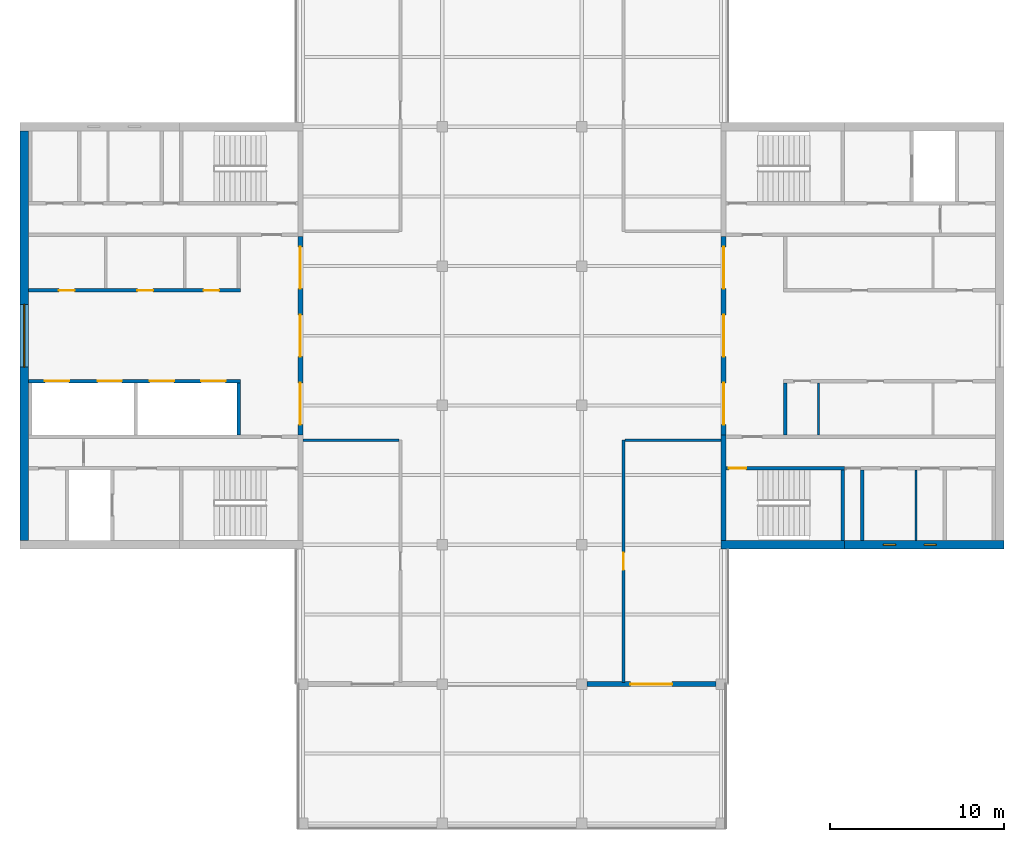
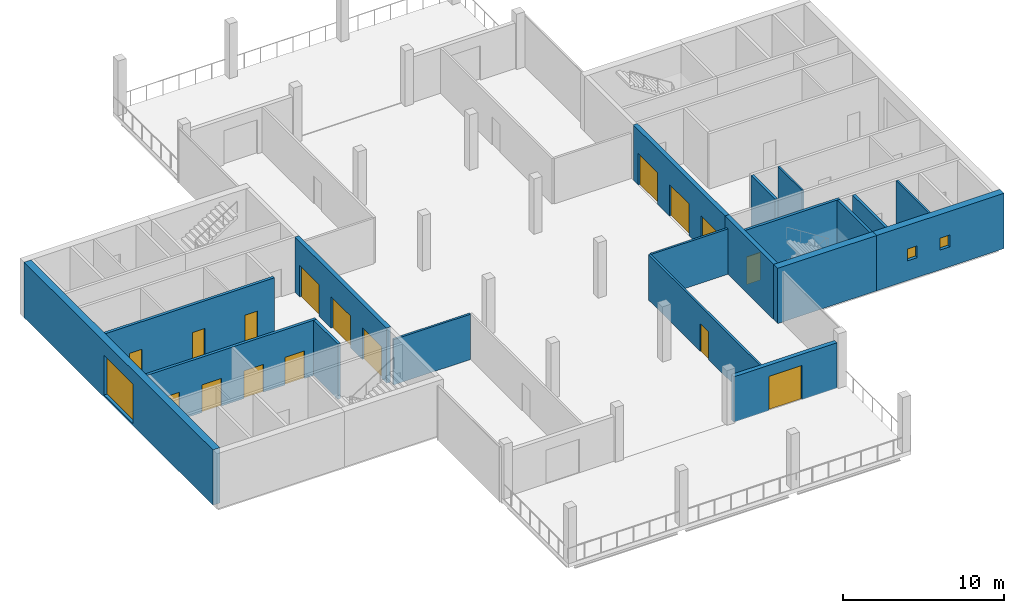
# One storey, part 8 of 12: 19 walls, 16 doors, 3 windows, 19 openings.
"""IFC4 building model written with IfcOpenShell, lengths in metres."""

from ifc_helpers import new_model, si_unit, direction, frame, frame_2d, origin, place, context, subcontext, project, spatial, rectangle, extrude, material, layer, layer_set, constituent, constituent_set, type_object, element, fill, save


model = new_model("IFC4")

# Units and contexts
model_context = context("Model", 3, precision=1e-05, world=origin(), true_north=direction((0.0, 1.0)))
body_context = subcontext(model_context, "Body", "Model", "MODEL_VIEW")
ifc_project = project(units=[si_unit("LENGTHUNIT", "METRE"), si_unit("AREAUNIT", "SQUARE_METRE"), si_unit("VOLUMEUNIT", "CUBIC_METRE"), si_unit("PLANEANGLEUNIT", "RADIAN"), si_unit("MASSUNIT", "GRAM", prefix="KILO")], contexts=[model_context])

# Site, building, storey
site_placement = place(None, origin())
site = spatial("IfcSite", under=ifc_project, at=site_placement, CompositionType="ELEMENT")
building_placement = place(site_placement, origin())
building = spatial("IfcBuilding", under=site, at=building_placement, Name="Crosswind Convention Tower", CompositionType="ELEMENT")
storey_placement = place(building_placement, frame((0.0, 0.0, 328.10009765625)))
storey = spatial("IfcBuildingStorey", under=building, at=storey_placement, Name="L71", CompositionType="ELEMENT", Elevation=328.10009765625)

# Wall
ifc_material_1 = material(Name="Concrete blockwork", Category="masonry")
ifc_layer_1 = layer(ifc_material_1, 0.199951171875)
ifc_layer_set_1 = layer_set([ifc_layer_1], Name="Blockwork partition wall 200")
wall_type_1 = type_object("IfcWallType", Name="Blockwork partition wall 200", PredefinedType="PARTITIONING", material=ifc_layer_set_1)
wall_1_placement = place(storey_placement, frame((145.10009765625, 88.25, 0.0), z_axis=(0.0, 0.0, 1.0), x_axis=(0.0, 1.0, 0.0)))
element("IfcWall", 1, at=wall_1_placement, inside=storey, type_object=wall_type_1, Name="Wall MRSE E L71", PredefinedType="PARTITIONING", context=body_context, shape_type="SweptSolid", body=[
    extrude(rectangle(XDim=4.050048828125, YDim=0.199951171875, at=frame_2d((2.02490234375, 0.0))), origin(), (0.0, 0.0, 1.0), 4.199951171875),
])

# Wall, openings, doors
ifc_material_2 = material(Name="Concrete C50/60", Category="concrete")
ifc_layer_2 = layer(ifc_material_2, 0.300048828125)
ifc_layer_set_2 = layer_set([ifc_layer_2], Name="Concrete C50/60")
wall_type_2 = type_object("IfcWallType", Name="Concrete inner core wall 300", PredefinedType="SHEAR", material=ifc_layer_set_2)
wall_2_placement = place(storey_placement, frame((137.14990234375, 94.300048828125, 0.0), z_axis=(0.0, 0.0, 1.0), x_axis=(0.0, 1.0, 0.0)))
wall_2 = element("IfcWall", 2, at=wall_2_placement, inside=storey, type_object=wall_type_2, Name="Wall SCR E L71", PredefinedType="SHEAR", context=body_context, shape_type="SweptSolid", body=[
    extrude(rectangle(XDim=11.39990234375, YDim=0.300048828125, at=frame_2d((5.699951171875, 0.0))), origin(), (0.0, 0.0, 1.0), 4.199951171875),
])
opening_1_placement = place(wall_2_placement, frame((0.60009765625, 0.0, 0.0)))
opening_1 = element("IfcOpeningElement", 3, at=opening_1_placement, cuts=wall_2, Name="Opening D100", PredefinedType="OPENING", context=body_context, shape_type="SweptSolid", body=[
    extrude(rectangle(XDim=2.39990234375, YDim=2.39990234375, at=frame_2d((1.199951171875, 1.199951171875))), frame((0.0, 0.159912109375, 0.0), z_axis=(0.0, -1.0, 0.0), x_axis=(1.0, 0.0, 0.0)), (0.0, 0.0, 1.0), 0.320068359375),
])
opening_2_placement = place(wall_2_placement, frame((4.5, 0.0, 0.0)))
opening_2 = element("IfcOpeningElement", 4, at=opening_2_placement, cuts=wall_2, Name="Opening D100", PredefinedType="OPENING", context=body_context, shape_type="SweptSolid", body=[
    extrude(rectangle(XDim=2.39990234375, YDim=2.39990234375, at=frame_2d((1.199951171875, 1.199951171875))), frame((0.0, 0.159912109375, 0.0), z_axis=(0.0, -1.0, 0.0), x_axis=(1.0, 0.0, 0.0)), (0.0, 0.0, 1.0), 0.320068359375),
])
opening_3_placement = place(wall_2_placement, frame((8.39990234375, 0.0, 0.0)))
opening_3 = element("IfcOpeningElement", 5, at=opening_3_placement, cuts=wall_2, Name="Opening D100", PredefinedType="OPENING", context=body_context, shape_type="SweptSolid", body=[
    extrude(rectangle(XDim=2.39990234375, YDim=2.39990234375, at=frame_2d((1.199951171875, 1.199951171875))), frame((0.0, 0.159912109375, 0.0), z_axis=(0.0, -1.0, 0.0), x_axis=(1.0, 0.0, 0.0)), (0.0, 0.0, 1.0), 0.320068359375),
])
ifc_material_3 = material(Name="Steel fire door with glazed vision panels", Category="steel")
door_type_1 = type_object("IfcDoorType", Name="Fire-rated double door 2400x2400", OperationType="DOUBLE_DOOR_SINGLE_SWING", PredefinedType="DOOR", material=ifc_material_3)
door_1_placement = place(opening_1_placement, origin())
door_1 = element("IfcDoor", 6, at=door_1_placement, inside=storey, type_object=door_type_1, Name="Lobby door 1 L71", ObjectType="D100", OperationType="DOUBLE_DOOR_SINGLE_SWING", OverallHeight=2.39990234375, OverallWidth=2.39990234375, PredefinedType="DOOR", context=body_context, shape_type="SweptSolid", body=[
    extrude(rectangle(XDim=2.39990234375, YDim=2.39990234375, at=frame_2d((1.199951171875, 1.199951171875))), frame((0.0, 0.02490234375, 0.0), z_axis=(0.0, -1.0, 0.0), x_axis=(1.0, 0.0, 0.0)), (0.0, 0.0, 1.0), 0.050048828125),
])
fill(opening_1, door_1)
door_2_placement = place(opening_2_placement, origin())
door_2 = element("IfcDoor", 7, at=door_2_placement, inside=storey, type_object=door_type_1, Name="Lobby door 2 L71", ObjectType="D100", OperationType="DOUBLE_DOOR_SINGLE_SWING", OverallHeight=2.39990234375, OverallWidth=2.39990234375, PredefinedType="DOOR", context=body_context, shape_type="SweptSolid", body=[
    extrude(rectangle(XDim=2.39990234375, YDim=2.39990234375, at=frame_2d((1.199951171875, 1.199951171875))), frame((0.0, 0.02490234375, 0.0), z_axis=(0.0, -1.0, 0.0), x_axis=(1.0, 0.0, 0.0)), (0.0, 0.0, 1.0), 0.050048828125),
])
fill(opening_2, door_2)
door_3_placement = place(opening_3_placement, origin())
door_3 = element("IfcDoor", 8, at=door_3_placement, inside=storey, type_object=door_type_1, Name="Lobby door 3 L71", ObjectType="D100", OperationType="DOUBLE_DOOR_SINGLE_SWING", OverallHeight=2.39990234375, OverallWidth=2.39990234375, PredefinedType="DOOR", context=body_context, shape_type="SweptSolid", body=[
    extrude(rectangle(XDim=2.39990234375, YDim=2.39990234375, at=frame_2d((1.199951171875, 1.199951171875))), frame((0.0, 0.02490234375, 0.0), z_axis=(0.0, -1.0, 0.0), x_axis=(1.0, 0.0, 0.0)), (0.0, 0.0, 1.0), 0.050048828125),
])
fill(opening_3, door_3)

# Wall
wall_3_placement = place(storey_placement, frame((137.14990234375, 88.25, 0.0), z_axis=(0.0, 0.0, 1.0), x_axis=(0.0, 1.0, 0.0)))
element("IfcWall", 9, at=wall_3_placement, inside=storey, type_object=wall_type_2, Name="Wall EM E L71", PredefinedType="SHEAR", context=body_context, shape_type="SweptSolid", body=[
    extrude(rectangle(XDim=6.050048828125, YDim=0.300048828125, at=frame_2d((3.02490234375, 0.0))), origin(), (0.0, 0.0, 1.0), 4.199951171875),
])

# Wall, openings, doors
wall_4_placement = place(storey_placement, frame((112.85009765625, 105.699951171875, 0.0), z_axis=(0.0, 0.0, 1.0), x_axis=(0.0, -1.0, 0.0)))
wall_4 = element("IfcWall", 10, at=wall_4_placement, inside=storey, type_object=wall_type_2, Name="Wall SCR W L71", PredefinedType="SHEAR", context=body_context, shape_type="SweptSolid", body=[
    extrude(rectangle(XDim=11.39990234375, YDim=0.300048828125, at=frame_2d((5.699951171875, 0.0))), origin(), (0.0, 0.0, 1.0), 4.199951171875),
])
opening_4_placement = place(wall_4_placement, frame((0.60009765625, 0.0, 0.0)))
opening_4 = element("IfcOpeningElement", 11, at=opening_4_placement, cuts=wall_4, Name="Opening D100", PredefinedType="OPENING", context=body_context, shape_type="SweptSolid", body=[
    extrude(rectangle(XDim=2.39990234375, YDim=2.39990234375, at=frame_2d((1.199951171875, 1.199951171875))), frame((0.0, 0.159912109375, 0.0), z_axis=(0.0, -1.0, 0.0), x_axis=(1.0, 0.0, 0.0)), (0.0, 0.0, 1.0), 0.320068359375),
])
opening_5_placement = place(wall_4_placement, frame((4.5, 0.0, 0.0)))
opening_5 = element("IfcOpeningElement", 12, at=opening_5_placement, cuts=wall_4, Name="Opening D100", PredefinedType="OPENING", context=body_context, shape_type="SweptSolid", body=[
    extrude(rectangle(XDim=2.39990234375, YDim=2.39990234375, at=frame_2d((1.199951171875, 1.199951171875))), frame((0.0, 0.159912109375, 0.0), z_axis=(0.0, -1.0, 0.0), x_axis=(1.0, 0.0, 0.0)), (0.0, 0.0, 1.0), 0.320068359375),
])
opening_6_placement = place(wall_4_placement, frame((8.39990234375, 0.0, 0.0)))
opening_6 = element("IfcOpeningElement", 13, at=opening_6_placement, cuts=wall_4, Name="Opening D100", PredefinedType="OPENING", context=body_context, shape_type="SweptSolid", body=[
    extrude(rectangle(XDim=2.39990234375, YDim=2.39990234375, at=frame_2d((1.199951171875, 1.199951171875))), frame((0.0, 0.159912109375, 0.0), z_axis=(0.0, -1.0, 0.0), x_axis=(1.0, 0.0, 0.0)), (0.0, 0.0, 1.0), 0.320068359375),
])
door_4_placement = place(opening_4_placement, origin())
door_4 = element("IfcDoor", 14, at=door_4_placement, inside=storey, type_object=door_type_1, Name="Lobby door 1 L71", ObjectType="D100", OperationType="DOUBLE_DOOR_SINGLE_SWING", OverallHeight=2.39990234375, OverallWidth=2.39990234375, PredefinedType="DOOR", context=body_context, shape_type="SweptSolid", body=[
    extrude(rectangle(XDim=2.39990234375, YDim=2.39990234375, at=frame_2d((1.199951171875, 1.199951171875))), frame((0.0, 0.02490234375, 0.0), z_axis=(0.0, -1.0, 0.0), x_axis=(1.0, 0.0, 0.0)), (0.0, 0.0, 1.0), 0.050048828125),
])
fill(opening_4, door_4)
door_5_placement = place(opening_5_placement, origin())
door_5 = element("IfcDoor", 15, at=door_5_placement, inside=storey, type_object=door_type_1, Name="Lobby door 2 L71", ObjectType="D100", OperationType="DOUBLE_DOOR_SINGLE_SWING", OverallHeight=2.39990234375, OverallWidth=2.39990234375, PredefinedType="DOOR", context=body_context, shape_type="SweptSolid", body=[
    extrude(rectangle(XDim=2.39990234375, YDim=2.39990234375, at=frame_2d((1.199951171875, 1.199951171875))), frame((0.0, 0.02490234375, 0.0), z_axis=(0.0, -1.0, 0.0), x_axis=(1.0, 0.0, 0.0)), (0.0, 0.0, 1.0), 0.050048828125),
])
fill(opening_5, door_5)
door_6_placement = place(opening_6_placement, origin())
door_6 = element("IfcDoor", 16, at=door_6_placement, inside=storey, type_object=door_type_1, Name="Lobby door 3 L71", ObjectType="D100", OperationType="DOUBLE_DOOR_SINGLE_SWING", OverallHeight=2.39990234375, OverallWidth=2.39990234375, PredefinedType="DOOR", context=body_context, shape_type="SweptSolid", body=[
    extrude(rectangle(XDim=2.39990234375, YDim=2.39990234375, at=frame_2d((1.199951171875, 1.199951171875))), frame((0.0, 0.02490234375, 0.0), z_axis=(0.0, -1.0, 0.0), x_axis=(1.0, 0.0, 0.0)), (0.0, 0.0, 1.0), 0.050048828125),
])
fill(opening_6, door_6)

# Walls
ifc_layer_3 = layer(ifc_material_2, 0.199951171875)
ifc_layer_set_3 = layer_set([ifc_layer_3], Name="Concrete C50/60")
wall_type_3 = type_object("IfcWallType", Name="Concrete shaft and stair wall 200", PredefinedType="SHEAR", material=ifc_layer_set_3)
wall_5_placement = place(storey_placement, frame((140.699951171875, 94.300048828125, 0.0), z_axis=(0.0, 0.0, 1.0), x_axis=(0.0, 1.0, 0.0)))
element("IfcWall", 17, at=wall_5_placement, inside=storey, type_object=wall_type_3, Name="Wall RMEND E L71", PredefinedType="SHEAR", context=body_context, shape_type="SweptSolid", body=[
    extrude(rectangle(XDim=3.0, YDim=0.199951171875, at=frame_2d((1.5, 0.0))), origin(), (0.0, 0.0, 1.0), 4.199951171875),
])
wall_6_placement = place(storey_placement, frame((144.0, 88.25, 0.0), z_axis=(0.0, 0.0, 1.0), x_axis=(0.0, 1.0, 0.0)))
element("IfcWall", 18, at=wall_6_placement, inside=storey, type_object=wall_type_3, Name="Wall MSE E L71", PredefinedType="SHEAR", context=body_context, shape_type="SweptSolid", body=[
    extrude(rectangle(XDim=4.050048828125, YDim=0.199951171875, at=frame_2d((2.02490234375, 0.0))), origin(), (0.0, 0.0, 1.0), 4.199951171875),
])

# Wall, opening, door
wall_7_placement = place(storey_placement, frame((137.300048828125, 92.39990234375, 0.0), z_axis=(0.0, 0.0, 1.0), x_axis=(1.0, 0.0, 0.0)))
wall_7 = element("IfcWall", 19, at=wall_7_placement, inside=storey, type_object=wall_type_3, Name="Wall MCW E L71", PredefinedType="SHEAR", context=body_context, shape_type="SweptSolid", body=[
    extrude(rectangle(XDim=6.800048828125, YDim=0.199951171875, at=frame_2d((3.39990234375, 0.0))), origin(), (0.0, 0.0, 1.0), 4.199951171875),
])
opening_7_placement = place(wall_7_placement, frame((0.14990234375, 0.0, 0.0)))
opening_7 = element("IfcOpeningElement", 20, at=opening_7_placement, cuts=wall_7, Name="Opening D103", PredefinedType="OPENING", context=body_context, shape_type="SweptSolid", body=[
    extrude(rectangle(XDim=1.0, YDim=2.10009765625, at=frame_2d((0.5, 1.050048828125))), frame((0.0, 0.10986328125, 0.0), z_axis=(0.0, -1.0, 0.0), x_axis=(1.0, 0.0, 0.0)), (0.0, 0.0, 1.0), 0.219970703125),
])
ifc_material_4 = material(Name="Steel fire door", Category="steel")
door_type_2 = type_object("IfcDoorType", Name="Fire-rated single door 1000x2100", OperationType="NOTDEFINED", PredefinedType="DOOR", material=ifc_material_4)
door_7_placement = place(opening_7_placement, frame((1.0, 0.0, 0.0), z_axis=(0.0, 0.0, 1.0), x_axis=(-1.0, 0.0, 0.0)))
door_7 = element("IfcDoor", 21, at=door_7_placement, inside=storey, type_object=door_type_2, Name="Stair ST2 door L71", ObjectType="D103", OperationType="SINGLE_SWING_RIGHT", OverallHeight=2.10009765625, OverallWidth=1.0, PredefinedType="DOOR", context=body_context, shape_type="SweptSolid", body=[
    extrude(rectangle(XDim=1.0, YDim=2.10009765625, at=frame_2d((0.5, 1.050048828125))), frame((0.0, 0.02490234375, 0.0), z_axis=(0.0, -1.0, 0.0), x_axis=(1.0, 0.0, 0.0)), (0.0, 0.0, 1.0), 0.050048828125),
])
fill(opening_7, door_7)

# Wall
wall_8_placement = place(storey_placement, frame((109.300048828125, 97.300048828125, 0.0), z_axis=(0.0, 0.0, 1.0), x_axis=(0.0, -1.0, 0.0)))
element("IfcWall", 22, at=wall_8_placement, inside=storey, type_object=wall_type_3, Name="Wall RPEND W L71", PredefinedType="SHEAR", context=body_context, shape_type="SweptSolid", body=[
    extrude(rectangle(XDim=3.0, YDim=0.199951171875, at=frame_2d((1.5, 0.0))), origin(), (0.0, 0.0, 1.0), 4.199951171875),
])

# Wall, openings, doors
wall_9_placement = place(storey_placement, frame((109.39990234375, 97.39990234375, 0.0), z_axis=(0.0, 0.0, 1.0), x_axis=(-1.0, 0.0, 0.0)))
wall_9 = element("IfcWall", 23, at=wall_9_placement, inside=storey, type_object=wall_type_3, Name="Wall RPFRONT W L71", PredefinedType="SHEAR", context=body_context, shape_type="SweptSolid", body=[
    extrude(rectangle(XDim=12.14990234375, YDim=0.199951171875, at=frame_2d((6.074951171875, 0.0))), origin(), (0.0, 0.0, 1.0), 4.199951171875),
])
opening_8_placement = place(wall_9_placement, frame((0.85009765625, 0.0, 0.0)))
opening_8 = element("IfcOpeningElement", 24, at=opening_8_placement, cuts=wall_9, Name="Opening LD2", PredefinedType="OPENING", context=body_context, shape_type="SweptSolid", body=[
    extrude(rectangle(XDim=1.39990234375, YDim=2.10009765625, at=frame_2d((0.699951171875, 1.050048828125))), frame((0.0, 0.10986328125, 0.0), z_axis=(0.0, -1.0, 0.0), x_axis=(1.0, 0.0, 0.0)), (0.0, 0.0, 1.0), 0.219970703125),
])
opening_9_placement = place(wall_9_placement, frame((3.800048828125, 0.0, 0.0)))
opening_9 = element("IfcOpeningElement", 25, at=opening_9_placement, cuts=wall_9, Name="Opening LD2", PredefinedType="OPENING", context=body_context, shape_type="SweptSolid", body=[
    extrude(rectangle(XDim=1.39990234375, YDim=2.10009765625, at=frame_2d((0.699951171875, 1.050048828125))), frame((0.0, 0.10986328125, 0.0), z_axis=(0.0, -1.0, 0.0), x_axis=(1.0, 0.0, 0.0)), (0.0, 0.0, 1.0), 0.219970703125),
])
opening_10_placement = place(wall_9_placement, frame((6.800048828125, 0.0, 0.0)))
opening_10 = element("IfcOpeningElement", 26, at=opening_10_placement, cuts=wall_9, Name="Opening LD2", PredefinedType="OPENING", context=body_context, shape_type="SweptSolid", body=[
    extrude(rectangle(XDim=1.39990234375, YDim=2.10009765625, at=frame_2d((0.699951171875, 1.050048828125))), frame((0.0, 0.10986328125, 0.0), z_axis=(0.0, -1.0, 0.0), x_axis=(1.0, 0.0, 0.0)), (0.0, 0.0, 1.0), 0.219970703125),
])
opening_11_placement = place(wall_9_placement, frame((9.824951171875, 0.0, 0.0)))
opening_11 = element("IfcOpeningElement", 27, at=opening_11_placement, cuts=wall_9, Name="Opening LD2", PredefinedType="OPENING", context=body_context, shape_type="SweptSolid", body=[
    extrude(rectangle(XDim=1.39990234375, YDim=2.10009765625, at=frame_2d((0.699951171875, 1.050048828125))), frame((0.0, 0.10986328125, 0.0), z_axis=(0.0, -1.0, 0.0), x_axis=(1.0, 0.0, 0.0)), (0.0, 0.0, 1.0), 0.219970703125),
])
ifc_material_5 = material(Name="Stainless steel", Category="steel")
door_type_3 = type_object("IfcDoorType", Name="Lift landing door 1400x2100", OperationType="DOUBLE_DOOR_SLIDING", PredefinedType="DOOR", material=ifc_material_5)
door_8_placement = place(opening_8_placement, origin())
door_8 = element("IfcDoor", 28, at=door_8_placement, inside=storey, type_object=door_type_3, Name="Landing door HR1 L71", ObjectType="LD2", OperationType="DOUBLE_DOOR_SLIDING", OverallHeight=2.10009765625, OverallWidth=1.39990234375, PredefinedType="DOOR", context=body_context, shape_type="SweptSolid", body=[
    extrude(rectangle(XDim=1.39990234375, YDim=2.10009765625, at=frame_2d((0.699951171875, 1.050048828125))), frame((0.0, 0.02490234375, 0.0), z_axis=(0.0, -1.0, 0.0), x_axis=(1.0, 0.0, 0.0)), (0.0, 0.0, 1.0), 0.050048828125),
])
fill(opening_8, door_8)
door_9_placement = place(opening_9_placement, origin())
door_9 = element("IfcDoor", 29, at=door_9_placement, inside=storey, type_object=door_type_3, Name="Landing door HR2 L71", ObjectType="LD2", OperationType="DOUBLE_DOOR_SLIDING", OverallHeight=2.10009765625, OverallWidth=1.39990234375, PredefinedType="DOOR", context=body_context, shape_type="SweptSolid", body=[
    extrude(rectangle(XDim=1.39990234375, YDim=2.10009765625, at=frame_2d((0.699951171875, 1.050048828125))), frame((0.0, 0.02490234375, 0.0), z_axis=(0.0, -1.0, 0.0), x_axis=(1.0, 0.0, 0.0)), (0.0, 0.0, 1.0), 0.050048828125),
])
fill(opening_9, door_9)
door_10_placement = place(opening_10_placement, origin())
door_10 = element("IfcDoor", 30, at=door_10_placement, inside=storey, type_object=door_type_3, Name="Landing door HR3 L71", ObjectType="LD2", OperationType="DOUBLE_DOOR_SLIDING", OverallHeight=2.10009765625, OverallWidth=1.39990234375, PredefinedType="DOOR", context=body_context, shape_type="SweptSolid", body=[
    extrude(rectangle(XDim=1.39990234375, YDim=2.10009765625, at=frame_2d((0.699951171875, 1.050048828125))), frame((0.0, 0.02490234375, 0.0), z_axis=(0.0, -1.0, 0.0), x_axis=(1.0, 0.0, 0.0)), (0.0, 0.0, 1.0), 0.050048828125),
])
fill(opening_10, door_10)
door_11_placement = place(opening_11_placement, origin())
door_11 = element("IfcDoor", 31, at=door_11_placement, inside=storey, type_object=door_type_3, Name="Landing door HR4 L71", ObjectType="LD2", OperationType="DOUBLE_DOOR_SLIDING", OverallHeight=2.10009765625, OverallWidth=1.39990234375, PredefinedType="DOOR", context=body_context, shape_type="SweptSolid", body=[
    extrude(rectangle(XDim=1.39990234375, YDim=2.10009765625, at=frame_2d((0.699951171875, 1.050048828125))), frame((0.0, 0.02490234375, 0.0), z_axis=(0.0, -1.0, 0.0), x_axis=(1.0, 0.0, 0.0)), (0.0, 0.0, 1.0), 0.050048828125),
])
fill(opening_11, door_11)

wall_10_placement = place(storey_placement, frame((109.39990234375, 102.60009765625, 0.0), z_axis=(0.0, 0.0, 1.0), x_axis=(-1.0, 0.0, 0.0)))
wall_10 = element("IfcWall", 32, at=wall_10_placement, inside=storey, type_object=wall_type_3, Name="Wall RMFRONT W L71", PredefinedType="SHEAR", context=body_context, shape_type="SweptSolid", body=[
    extrude(rectangle(XDim=12.14990234375, YDim=0.199951171875, at=frame_2d((6.074951171875, 0.0))), origin(), (0.0, 0.0, 1.0), 4.199951171875),
])
opening_12_placement = place(wall_10_placement, frame((1.21240234375, 0.0, 0.0)))
opening_12 = element("IfcOpeningElement", 33, at=opening_12_placement, cuts=wall_10, Name="Opening D106", PredefinedType="OPENING", context=body_context, shape_type="SweptSolid", body=[
    extrude(rectangle(XDim=0.89990234375, YDim=2.10009765625, at=frame_2d((0.449951171875, 1.050048828125))), frame((0.0, 0.10986328125, 0.0), z_axis=(0.0, -1.0, 0.0), x_axis=(1.0, 0.0, 0.0)), (0.0, 0.0, 1.0), 0.219970703125),
])
opening_13_placement = place(wall_10_placement, frame((5.008056640625, 0.0, 0.0)))
opening_13 = element("IfcOpeningElement", 34, at=opening_13_placement, cuts=wall_10, Name="Opening D106", PredefinedType="OPENING", context=body_context, shape_type="SweptSolid", body=[
    extrude(rectangle(XDim=0.89990234375, YDim=2.10009765625, at=frame_2d((0.449951171875, 1.050048828125))), frame((0.0, 0.10986328125, 0.0), z_axis=(0.0, -1.0, 0.0), x_axis=(1.0, 0.0, 0.0)), (0.0, 0.0, 1.0), 0.219970703125),
])
opening_14_placement = place(wall_10_placement, frame((9.5205078125, 0.0, 0.0)))
opening_14 = element("IfcOpeningElement", 35, at=opening_14_placement, cuts=wall_10, Name="Opening D106", PredefinedType="OPENING", context=body_context, shape_type="SweptSolid", body=[
    extrude(rectangle(XDim=0.89990234375, YDim=2.10009765625, at=frame_2d((0.449951171875, 1.050048828125))), frame((0.0, 0.10986328125, 0.0), z_axis=(0.0, -1.0, 0.0), x_axis=(1.0, 0.0, 0.0)), (0.0, 0.0, 1.0), 0.219970703125),
])
ifc_material_6 = material(Name="Timber door", Category="wood")
door_type_4 = type_object("IfcDoorType", Name="Single leaf door 900x2100", OperationType="NOTDEFINED", PredefinedType="DOOR", material=ifc_material_6)
door_12_placement = place(opening_12_placement, frame((0.89990234375, 0.0, 0.0), z_axis=(0.0, 0.0, 1.0), x_axis=(-1.0, 0.0, 0.0)))
door_12 = element("IfcDoor", 36, at=door_12_placement, inside=storey, type_object=door_type_4, Name="Door to copy and print room L71", ObjectType="D106", OperationType="SINGLE_SWING_LEFT", OverallHeight=2.10009765625, OverallWidth=0.89990234375, PredefinedType="DOOR", context=body_context, shape_type="SweptSolid", body=[
    extrude(rectangle(XDim=0.89990234375, YDim=2.10009765625, at=frame_2d((0.449951171875, 1.050048828125))), frame((0.0, 0.02490234375, 0.0), z_axis=(0.0, -1.0, 0.0), x_axis=(1.0, 0.0, 0.0)), (0.0, 0.0, 1.0), 0.050048828125),
])
fill(opening_12, door_12)
door_13_placement = place(opening_13_placement, frame((0.89990234375, 0.0, 0.0), z_axis=(0.0, 0.0, 1.0), x_axis=(-1.0, 0.0, 0.0)))
door_13 = element("IfcDoor", 37, at=door_13_placement, inside=storey, type_object=door_type_4, Name="Door to meeting room L71", ObjectType="D106", OperationType="SINGLE_SWING_LEFT", OverallHeight=2.10009765625, OverallWidth=0.89990234375, PredefinedType="DOOR", context=body_context, shape_type="SweptSolid", body=[
    extrude(rectangle(XDim=0.89990234375, YDim=2.10009765625, at=frame_2d((0.449951171875, 1.050048828125))), frame((0.0, 0.02490234375, 0.0), z_axis=(0.0, -1.0, 0.0), x_axis=(1.0, 0.0, 0.0)), (0.0, 0.0, 1.0), 0.050048828125),
])
fill(opening_13, door_13)
door_14_placement = place(opening_14_placement, frame((0.89990234375, 0.0, 0.0), z_axis=(0.0, 0.0, 1.0), x_axis=(-1.0, 0.0, 0.0)))
door_14 = element("IfcDoor", 38, at=door_14_placement, inside=storey, type_object=door_type_4, Name="Door to pantry L71", ObjectType="D106", OperationType="SINGLE_SWING_LEFT", OverallHeight=2.10009765625, OverallWidth=0.89990234375, PredefinedType="DOOR", context=body_context, shape_type="SweptSolid", body=[
    extrude(rectangle(XDim=0.89990234375, YDim=2.10009765625, at=frame_2d((0.449951171875, 1.050048828125))), frame((0.0, 0.02490234375, 0.0), z_axis=(0.0, -1.0, 0.0), x_axis=(1.0, 0.0, 0.0)), (0.0, 0.0, 1.0), 0.050048828125),
])
fill(opening_14, door_14)

# Walls
ifc_material_7 = material(Name="Gypsum plasterboard partition", Category="gypsum")
ifc_layer_4 = layer(ifc_material_7, 0.125)
ifc_layer_set_4 = layer_set([ifc_layer_4], Name="Drywall partition wall 125")
wall_type_4 = type_object("IfcWallType", Name="Drywall partition wall 125", PredefinedType="PARTITIONING", material=ifc_layer_set_4)
wall_11_placement = place(storey_placement, frame((142.592529296875, 94.300048828125, 0.0), z_axis=(0.0, 0.0, 1.0), x_axis=(0.0, 1.0, 0.0)))
element("IfcWall", 39, at=wall_11_placement, inside=storey, type_object=wall_type_4, Name="Wall RMP1 E L71", PredefinedType="PARTITIONING", context=body_context, shape_type="SweptSolid", body=[
    extrude(rectangle(XDim=3.0, YDim=0.125, at=frame_2d((1.5, 0.0))), origin(), (0.0, 0.0, 1.0), 4.199951171875),
])
wall_12_placement = place(storey_placement, frame((148.202880859375, 88.25, 0.0), z_axis=(0.0, 0.0, 1.0), x_axis=(0.0, 1.0, 0.0)))
element("IfcWall", 40, at=wall_12_placement, inside=storey, type_object=wall_type_4, Name="Wall MWP1 E L71", PredefinedType="PARTITIONING", context=body_context, shape_type="SweptSolid", body=[
    extrude(rectangle(XDim=4.050048828125, YDim=0.125, at=frame_2d((2.02490234375, 0.0))), origin(), (0.0, 0.0, 1.0), 4.199951171875),
])

# Wall, opening, door
ifc_material_8 = material(Name="Fire-board partition with mineral wool", Category="gypsum")
ifc_layer_5 = layer(ifc_material_8, 0.14990234375)
ifc_layer_set_5 = layer_set([ifc_layer_5], Name="TENANCY WALL 150 TWO-HOUR BOARD")
wall_type_5 = type_object("IfcWallType", Name="TENANCY WALL 150 TWO-HOUR BOARD", PredefinedType="PARTITIONING", material=ifc_layer_set_5)
wall_13_placement = place(storey_placement, frame((131.39990234375, 80.10009765625, 0.0), z_axis=(0.0, 0.0, 1.0), x_axis=(0.0, 1.0, 0.0)))
wall_13 = element("IfcWall", 41, at=wall_13_placement, inside=storey, type_object=wall_type_5, Name="Tenancy wall WT41", PredefinedType="PARTITIONING", context=body_context, shape_type="SweptSolid", body=[
    extrude(rectangle(XDim=13.89990234375, YDim=0.14990234375, at=frame_2d((6.949951171875, 0.0))), origin(), (0.0, 0.0, 1.0), 3.442626953125),
])
opening_15_placement = place(wall_13_placement, frame((6.449951171875, 0.0, 0.0)))
opening_15 = element("IfcOpeningElement", 42, at=opening_15_placement, cuts=wall_13, Name="Opening L71-51", PredefinedType="OPENING", context=body_context, shape_type="SweptSolid", body=[
    extrude(rectangle(XDim=1.0, YDim=2.10009765625, at=frame_2d((0.5, 1.050048828125))), frame((0.0, 0.0849609375, 0.0), z_axis=(0.0, -1.0, 0.0), x_axis=(1.0, 0.0, 0.0)), (0.0, 0.0, 1.0), 0.169921875),
])
ifc_material_9 = material(Name="Timber fire door", Category="wood")
door_type_5 = type_object("IfcDoorType", Name="TENANCY ENTRANCE DOOR 1000X2100 FD30S", OperationType="NOTDEFINED", PredefinedType="DOOR", material=ifc_material_9)
door_15_placement = place(opening_15_placement, frame((1.0, 0.0, 0.0), z_axis=(0.0, 0.0, 1.0), x_axis=(-1.0, 0.0, 0.0)))
door_15 = element("IfcDoor", 43, at=door_15_placement, inside=storey, type_object=door_type_5, Name="Door L71-51", ObjectType="D41", OperationType="SINGLE_SWING_LEFT", OverallHeight=2.10009765625, OverallWidth=1.0, PredefinedType="DOOR", context=body_context, shape_type="SweptSolid", body=[
    extrude(rectangle(XDim=1.0, YDim=2.10009765625, at=frame_2d((0.5, 1.050048828125))), frame((0.0, 0.02490234375, 0.0), z_axis=(0.0, -1.0, 0.0), x_axis=(1.0, 0.0, 0.0)), (0.0, 0.0, 1.0), 0.050048828125),
])
fill(opening_15, door_15)

# Walls
for number, where, z_axis, x_axis, name in (
    (44, (113.0, 94.0, 0.0), (0.0, 0.0, 1.0), (1.0, 0.0, 0.0), "Tenancy wall WT41"),
    (45, (131.47509765625, 94.0, 0.0), (0.0, 0.0, 1.0), (1.0, 0.0, 0.0), "Tenancy wall WT41"),
):
    element("IfcWall", number, at=place(storey_placement, frame(where, z_axis=z_axis, x_axis=x_axis)), inside=storey, type_object=wall_type_5, Name=name, PredefinedType="PARTITIONING", context=body_context, shape_type="SweptSolid", body=[
        extrude(rectangle(XDim=5.52490234375, YDim=0.14990234375, at=frame_2d((2.762451171875, 0.0))), origin(), (0.0, 0.0, 1.0), 3.442626953125),
    ])

# Wall, opening, door
ifc_material_10 = material(Name="Terracotta rainscreen", Category="ceramic")
ifc_layer_6 = layer(ifc_material_10, 0.02001953125)
ifc_material_11 = material(Name="Mineral wool insulation", Category="insulation")
ifc_layer_7 = layer(ifc_material_11, 0.10009765625)
ifc_layer_8 = layer(ifc_material_1, 0.179931640625)
ifc_layer_set_6 = layer_set([ifc_layer_6, ifc_layer_7, ifc_layer_8], Name="TERRACOTTA INFILL WALL 300")
wall_type_6 = type_object("IfcWallType", Name="TERRACOTTA INFILL WALL 300", PredefinedType="SOLIDWALL", material=ifc_layer_set_6)
wall_14_placement = place(storey_placement, frame((129.300048828125, 80.0, 0.0), z_axis=(0.0, 0.0, 1.0), x_axis=(1.0, 0.0, 0.0)))
wall_14 = element("IfcWall", 46, at=wall_14_placement, inside=storey, type_object=wall_type_6, Name="Portal front wall L71 S 3", PredefinedType="SOLIDWALL", context=body_context, shape_type="SweptSolid", body=[
    extrude(rectangle(XDim=7.39990234375, YDim=0.300048828125, at=frame_2d((3.699951171875, 0.0))), origin(), (0.0, 0.0, 1.0), 3.4462890625),
])
opening_16_placement = place(wall_14_placement, frame((2.5, 0.0, 0.0)))
opening_16 = element("IfcOpeningElement", 47, at=opening_16_placement, cuts=wall_14, Name="Opening D142", PredefinedType="OPENING", context=body_context, shape_type="SweptSolid", body=[
    extrude(rectangle(XDim=2.39990234375, YDim=2.60009765625, at=frame_2d((1.199951171875, 1.300048828125))), frame((0.0, 0.159912109375, 0.0), z_axis=(0.0, -1.0, 0.0), x_axis=(1.0, 0.0, 0.0)), (0.0, 0.0, 1.0), 0.320068359375),
])
ifc_material_12 = material(Name="Aluminium glazed door", Category="aluminium")
door_type_6 = type_object("IfcDoorType", Name="SKY DECK DOUBLE DOOR 2400X2600", OperationType="DOUBLE_DOOR_SINGLE_SWING", PredefinedType="DOOR", material=ifc_material_12)
door_16_placement = place(opening_16_placement, frame((2.39990234375, 0.0, 0.0), z_axis=(0.0, 0.0, 1.0), x_axis=(-1.0, 0.0, 0.0)))
door_16 = element("IfcDoor", 48, at=door_16_placement, inside=storey, type_object=door_type_6, Name="D142 sky deck door L71 S 3", ObjectType="D142", OperationType="DOUBLE_DOOR_SINGLE_SWING", OverallHeight=2.60009765625, OverallWidth=2.39990234375, PredefinedType="DOOR", context=body_context, shape_type="SweptSolid", body=[
    extrude(rectangle(XDim=2.39990234375, YDim=2.60009765625, at=frame_2d((1.199951171875, 1.300048828125))), frame((0.0, 0.02490234375, 0.0), z_axis=(0.0, -1.0, 0.0), x_axis=(1.0, 0.0, 0.0)), (0.0, 0.0, 1.0), 0.050048828125),
])
fill(opening_16, door_16)

# Wall
ifc_material_13 = material(Name="Concrete C60/75", Category="concrete")
ifc_constituent_1 = constituent(ifc_material_13, Name="Structure")
ifc_constituent_2 = constituent(ifc_material_10, Name="Facing")
ifc_constituent_set = constituent_set(constituents=[ifc_constituent_1, ifc_constituent_2], Name="Concrete C60/75, Terracotta rainscreen")
wall_type_7 = type_object("IfcWallType", Name="Terracotta rainscreen on concrete core wall 500", PredefinedType="SHEAR", material=ifc_constituent_set)
wall_15_placement = place(storey_placement, frame((137.0, 88.0, 0.0), z_axis=(0.0, 0.0, 1.0), x_axis=(1.0, 0.0, 0.0)))
element("IfcWall", 49, at=wall_15_placement, inside=storey, type_object=wall_type_7, Name="Wall S1 E L71", PredefinedType="SHEAR", context=body_context, shape_type="SweptSolid", body=[
    extrude(rectangle(XDim=7.10009765625, YDim=0.5, at=frame_2d((3.550048828125, 0.0))), origin(), (0.0, 0.0, 1.0), 4.199951171875),
])

# Wall, openings, windows
wall_16_placement = place(storey_placement, frame((144.10009765625, 88.0, 0.0), z_axis=(0.0, 0.0, 1.0), x_axis=(1.0, 0.0, 0.0)))
wall_16 = element("IfcWall", 50, at=wall_16_placement, inside=storey, type_object=wall_type_7, Name="Wall S2 E L71", PredefinedType="SHEAR", context=body_context, shape_type="SweptSolid", body=[
    extrude(rectangle(XDim=9.14990234375, YDim=0.5, at=frame_2d((4.574951171875, 0.0))), origin(), (0.0, 0.0, 1.0), 4.199951171875),
])
opening_17_placement = place(wall_16_placement, frame((2.22021484375, 0.0, 1.5)))
opening_17 = element("IfcOpeningElement", 51, at=opening_17_placement, cuts=wall_16, Name="Opening W2", PredefinedType="OPENING", context=body_context, shape_type="SweptSolid", body=[
    extrude(rectangle(XDim=0.699951171875, YDim=0.89990234375, at=frame_2d((0.35009765625, 0.449951171875))), frame((0.0, 0.260009765625, 0.0), z_axis=(0.0, -1.0, 0.0), x_axis=(1.0, 0.0, 0.0)), (0.0, 0.0, 1.0), 0.52001953125),
])
opening_18_placement = place(wall_16_placement, frame((4.557861328125, 0.0, 1.5)))
opening_18 = element("IfcOpeningElement", 52, at=opening_18_placement, cuts=wall_16, Name="Opening W2", PredefinedType="OPENING", context=body_context, shape_type="SweptSolid", body=[
    extrude(rectangle(XDim=0.699951171875, YDim=0.89990234375, at=frame_2d((0.35009765625, 0.449951171875))), frame((0.0, 0.260009765625, 0.0), z_axis=(0.0, -1.0, 0.0), x_axis=(1.0, 0.0, 0.0)), (0.0, 0.0, 1.0), 0.52001953125),
])
ifc_material_14 = material(Name="Obscure glass in aluminium frame", Category="aluminium")
window_type_1 = type_object("IfcWindowType", Name="WC window 700x900", PartitioningType="SINGLE_PANEL", PredefinedType="WINDOW", material=ifc_material_14)
window_1_placement = place(opening_17_placement, origin())
window_1 = element("IfcWindow", 53, at=window_1_placement, inside=storey, type_object=window_type_1, Name="WC window L71", ObjectType="W2", OverallHeight=0.89990234375, OverallWidth=0.699951171875, PartitioningType="SINGLE_PANEL", PredefinedType="WINDOW", context=body_context, shape_type="SweptSolid", body=[
    extrude(rectangle(XDim=0.699951171875, YDim=0.89990234375, at=frame_2d((0.35009765625, 0.449951171875))), frame((0.0, 0.030029296875, 0.0), z_axis=(0.0, -1.0, 0.0), x_axis=(1.0, 0.0, 0.0)), (0.0, 0.0, 1.0), 0.06005859375),
])
fill(opening_17, window_1)
window_2_placement = place(opening_18_placement, origin())
window_2 = element("IfcWindow", 54, at=window_2_placement, inside=storey, type_object=window_type_1, Name="WC window L71", ObjectType="W2", OverallHeight=0.89990234375, OverallWidth=0.699951171875, PartitioningType="SINGLE_PANEL", PredefinedType="WINDOW", context=body_context, shape_type="SweptSolid", body=[
    extrude(rectangle(XDim=0.699951171875, YDim=0.89990234375, at=frame_2d((0.35009765625, 0.449951171875))), frame((0.0, 0.030029296875, 0.0), z_axis=(0.0, -1.0, 0.0), x_axis=(1.0, 0.0, 0.0)), (0.0, 0.0, 1.0), 0.06005859375),
])
fill(opening_18, window_2)

# Wall, opening, window
wall_17_placement = place(storey_placement, frame((97.0, 111.75, 0.0), z_axis=(0.0, 0.0, 1.0), x_axis=(0.0, -1.0, 0.0)))
wall_17 = element("IfcWall", 55, at=wall_17_placement, inside=storey, type_object=wall_type_7, Name="Wall O W L71", PredefinedType="SHEAR", context=body_context, shape_type="SweptSolid", body=[
    extrude(rectangle(XDim=23.5, YDim=0.5, at=frame_2d((11.75, 0.0))), origin(), (0.0, 0.0, 1.0), 4.199951171875),
])
opening_19_placement = place(wall_17_placement, frame((9.949951171875, 0.0, 0.14990234375)))
opening_19 = element("IfcOpeningElement", 56, at=opening_19_placement, cuts=wall_17, Name="Opening W1", PredefinedType="OPENING", context=body_context, shape_type="SweptSolid", body=[
    extrude(rectangle(XDim=3.60009765625, YDim=3.0, at=frame_2d((1.800048828125, 1.5))), frame((0.0, 0.260009765625, 0.0), z_axis=(0.0, -1.0, 0.0), x_axis=(1.0, 0.0, 0.0)), (0.0, 0.0, 1.0), 0.52001953125),
])
ifc_material_15 = material(Name="Clear laminated glass in aluminium frame", Category="aluminium")
window_type_2 = type_object("IfcWindowType", Name="Lobby end window 3600x3000", PartitioningType="SINGLE_PANEL", PredefinedType="WINDOW", material=ifc_material_15)
window_3_placement = place(opening_19_placement, origin())
window_3 = element("IfcWindow", 57, at=window_3_placement, inside=storey, type_object=window_type_2, Name="Lobby end window L71", ObjectType="W1", OverallHeight=3.0, OverallWidth=3.60009765625, PartitioningType="SINGLE_PANEL", PredefinedType="WINDOW", context=body_context, shape_type="SweptSolid", body=[
    extrude(rectangle(XDim=3.60009765625, YDim=3.0, at=frame_2d((1.800048828125, 1.5))), frame((0.0, 0.030029296875, 0.0), z_axis=(0.0, -1.0, 0.0), x_axis=(1.0, 0.0, 0.0)), (0.0, 0.0, 1.0), 0.06005859375),
])
fill(opening_19, window_3)

save(model, "model.ifc")
